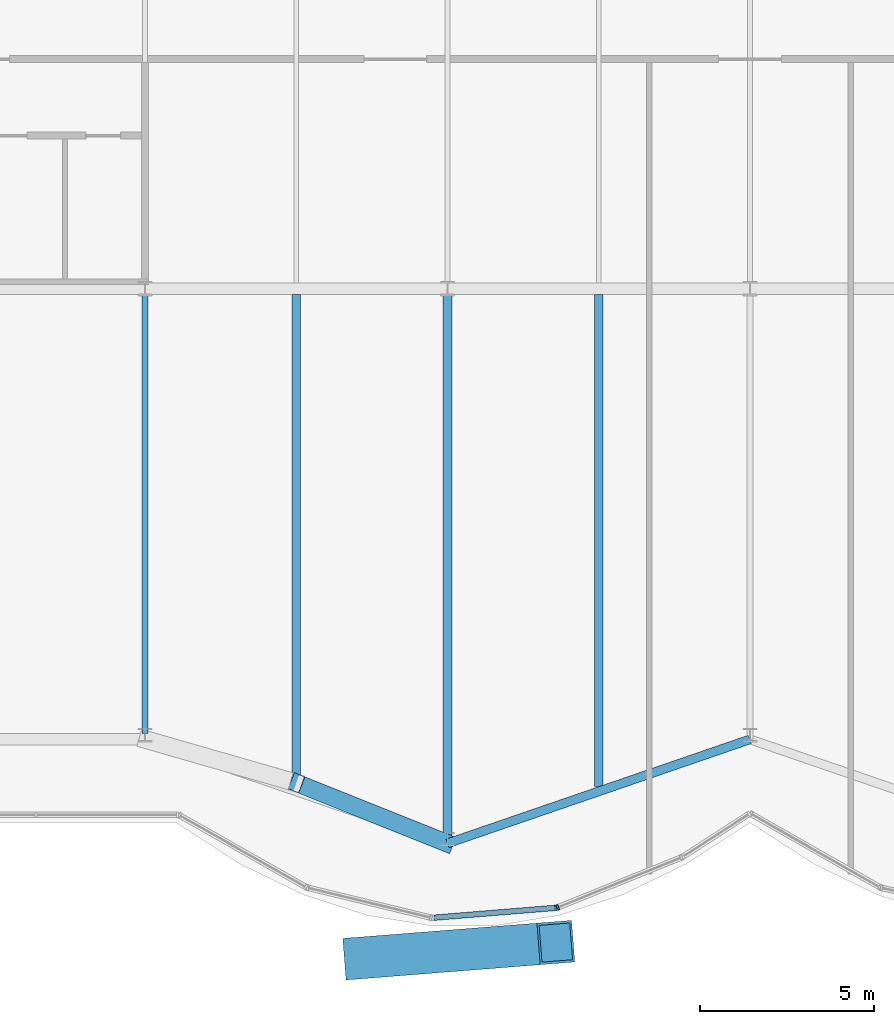
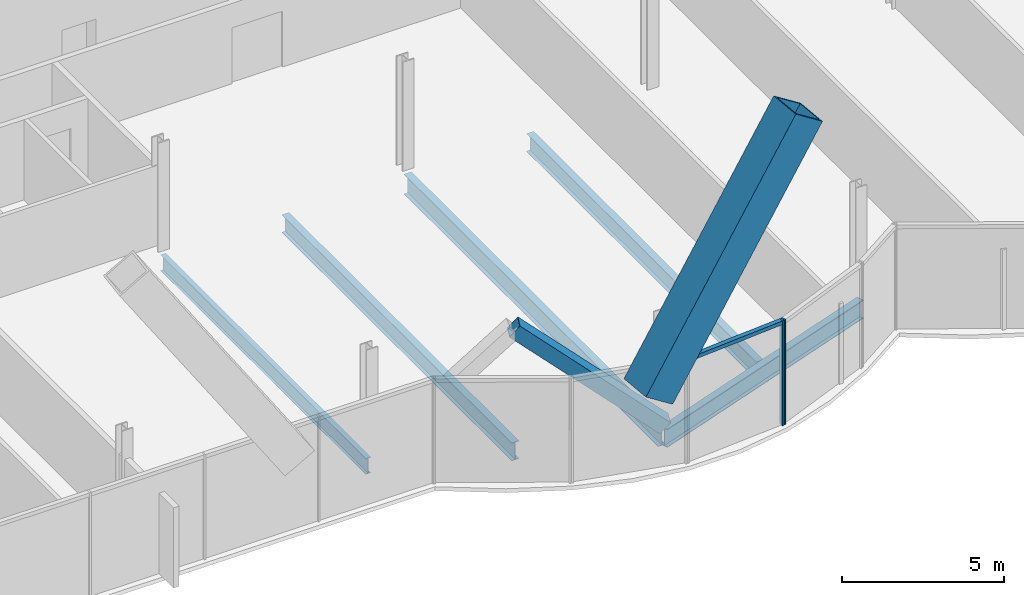
# One storey, part 5 of 21: 5 beams, 5 members, 1 element without a shape of its own.
"""IFC4 building model written with IfcOpenShell, lengths in metres."""

import ifcopenshell
import ifcopenshell.guid

model = None  # the IFC model being written
_history = None  # IfcOwnerHistory: only IFC2X3 demands one
_inside = {}  # id of a spatial element -> (the spatial element, [elements in it])
_under = {}  # id of a project, library or spatial element -> (it, [spatial elements below it])
_declared = {}  # id of a project -> (the project, [libraries it declares])
_typed = {}  # id of a type object -> (the type object, [elements of that type])
_made_of = {}  # id of a material, layer set ... -> (it, [elements and type objects made of it])


def new_model(schema):
    """Start an empty IFC model of exactly this schema.

    Asked for "IFC4X3", IfcOpenShell would pick the latest addendum, in which some entities
    have other attributes; the version numbers below select the first issue.
    IFC2X3 requires an IfcOwnerHistory on every rooted entity: one is made here for all.
    """
    global model, _history
    if schema == "IFC4X3":
        model = ifcopenshell.file(schema_version=(4, 3, 0, 0))
    else:
        model = ifcopenshell.file(schema=schema)
    _inside.clear()
    _under.clear()
    _declared.clear()
    _typed.clear()
    _made_of.clear()
    _history = None
    if model.schema == "IFC2X3":
        org = make("IfcOrganization", Name="unknown")
        user = make(
            "IfcPersonAndOrganization",
            ThePerson=make("IfcPerson", FamilyName="unknown"),
            TheOrganization=org,
        )
        app = make(
            "IfcApplication",
            ApplicationDeveloper=org,
            Version="unknown",
            ApplicationFullName="unknown",
            ApplicationIdentifier="unknown",
        )
        _history = make(
            "IfcOwnerHistory",
            OwningUser=user,
            OwningApplication=app,
            ChangeAction="ADDED",
            CreationDate=0,
        )
    return model


def make(cls, **values):
    """One entity of the class cls with the attributes given. An attribute that is None is left unset."""
    return model.create_entity(
        cls, **{name: value for name, value in values.items() if value is not None}
    )


def rooted(cls, **values):
    """An entity with a GlobalId (a new one), such as an element, a storey or a relation."""
    return make(cls, GlobalId=ifcopenshell.guid.new(), OwnerHistory=_history, **values)


def si_unit(unit_type, name, prefix=None):
    """IfcSIUnit, for example si_unit("LENGTHUNIT", "METRE", prefix="MILLI")."""
    return make("IfcSIUnit", UnitType=unit_type, Prefix=prefix, Name=name)


def assignment(units):
    """IfcUnitAssignment: the units of a project."""
    return None if units is None else make("IfcUnitAssignment", Units=units)


def point(xyz):
    """IfcCartesianPoint."""
    return None if xyz is None else make("IfcCartesianPoint", Coordinates=xyz)


def direction(xyz):
    """IfcDirection."""
    return None if xyz is None else make("IfcDirection", DirectionRatios=xyz)


def frame(location, z_axis=None, x_axis=None):
    """IfcAxis2Placement3D, a coordinate frame: its origin and axes. An axis left out is left unset."""
    return make(
        "IfcAxis2Placement3D",
        Location=point(location),
        Axis=direction(z_axis),
        RefDirection=direction(x_axis),
    )


def frame_2d(location, x_axis=None):
    """IfcAxis2Placement2D, a coordinate frame in the plane: its origin and x axis."""
    return make(
        "IfcAxis2Placement2D", Location=point(location), RefDirection=direction(x_axis)
    )


def origin():
    """The frame at (0, 0, 0) with its axes left unset."""
    return frame((0.0, 0.0, 0.0))


def origin_2d():
    """The frame at (0, 0) in the plane with its x axis left unset."""
    return frame_2d((0.0, 0.0))


def place(relative_to, where):
    """IfcLocalPlacement: puts the frame where relative to a parent placement (None: the world)."""
    return make(
        "IfcLocalPlacement", PlacementRelTo=relative_to, RelativePlacement=where
    )


def context(
    kind, dimensions, precision=None, world=None, true_north=None, identifier=None
):
    """IfcGeometricRepresentationContext, for example the 3D "Model" context."""
    return make(
        "IfcGeometricRepresentationContext",
        ContextIdentifier=identifier,
        ContextType=kind,
        CoordinateSpaceDimension=dimensions,
        Precision=precision,
        WorldCoordinateSystem=world,
        TrueNorth=true_north,
    )


def subcontext(parent, identifier, kind, view, scale=None):
    """IfcGeometricRepresentationSubContext, for example "Body" below "Model"."""
    return make(
        "IfcGeometricRepresentationSubContext",
        ContextIdentifier=identifier,
        ContextType=kind,
        ParentContext=parent,
        TargetScale=scale,
        TargetView=view,
    )


def project(units=None, contexts=None):
    """IfcProject with its units and contexts."""
    return rooted(
        "IfcProject",
        Name="project",
        RepresentationContexts=contexts,
        UnitsInContext=assignment(units),
    )


def spatial(cls, under=None, at=None, **own):
    """A site, building, storey or space (cls), placed at a placement, below another one or the project."""
    s = rooted(cls, ObjectPlacement=at, **own)
    if under is not None:
        _under.setdefault(under.id(), (under, []))[1].append(s)
    return s


def profile(cls, at=None, kind="AREA", **sizes):
    """A parametric profile (cls). Its sizes go by their IFC names, for example OverallWidth=200.0."""
    return make(cls, ProfileType=kind, Position=at, **sizes)


def rectangle(**sizes):
    """IfcRectangleProfileDef."""
    return profile("IfcRectangleProfileDef", **sizes)


def hollow_rectangle(**sizes):
    """IfcRectangleHollowProfileDef."""
    return profile("IfcRectangleHollowProfileDef", **sizes)


def i_section(**sizes):
    """IfcIShapeProfileDef."""
    return profile("IfcIShapeProfileDef", **sizes)


def extrude(swept, where, along, depth):
    """IfcExtrudedAreaSolid: the profile swept, set in the frame where, extruded along a direction by depth."""
    return make(
        "IfcExtrudedAreaSolid",
        SweptArea=swept,
        Position=where,
        ExtrudedDirection=direction(along),
        Depth=depth,
    )


def shape(context_of_items, identifier, shape_type, items):
    """IfcShapeRepresentation: the items that make up one representation, for example the "Body"."""
    return make(
        "IfcShapeRepresentation",
        ContextOfItems=context_of_items,
        RepresentationIdentifier=identifier,
        RepresentationType=shape_type,
        Items=items,
    )


def material(Name=None, Category=None):
    """IfcMaterial."""
    return make("IfcMaterial", Name=Name, Category=Category)


def material_profile(
    of_material, cross_section, Name=None, Category=None, Priority=None
):
    """IfcMaterialProfile: a cross section and its material."""
    return make(
        "IfcMaterialProfile",
        Name=Name,
        Material=of_material,
        Profile=cross_section,
        Priority=Priority,
        Category=Category,
    )


def profile_set(profiles, Name=None, composite=None):
    """IfcMaterialProfileSet."""
    return make(
        "IfcMaterialProfileSet",
        Name=Name,
        MaterialProfiles=profiles,
        CompositeProfile=composite,
    )


def made_of(thing, what):
    """Note that an element or type object is made of a material, layer set ...; save() writes the relation."""
    if what is not None:
        _made_of.setdefault(what.id(), (what, []))[1].append(thing)
    return thing


def type_object(cls, material=None, **own):
    """A type object (cls), such as IfcWallType, which elements share."""
    return made_of(rooted(cls, **own), material)


def element(
    cls,
    number,
    at=None,
    inside=None,
    cuts=None,
    type_object=None,
    material=None,
    context=None,
    identifier="Body",
    shape_type=None,
    held_by="IfcProductDefinitionShape",
    body=None,
    shapes=None,
    **own,
):
    """One element of the class cls, such as IfcWall. Its Tag is "e" and its number.

    at: its placement. inside: the storey or other place that contains it. cuts: it is an
    opening in that element (IfcRelVoidsElement). A single representation is given by context,
    identifier, shape_type and body (its items); several are given by shapes. held_by: the class
    of the entity that holds the representations. save() writes the other relations.
    """
    e = rooted(cls, Tag="e%d" % number, ObjectPlacement=at, **own)
    if body is not None:
        shapes = [shape(context, identifier, shape_type, body)]
    if shapes is not None:
        e.Representation = make(held_by, Representations=shapes)
    if inside is not None:
        _inside.setdefault(inside.id(), (inside, []))[1].append(e)
    if cuts is not None:
        rooted(
            "IfcRelVoidsElement", RelatingBuildingElement=cuts, RelatedOpeningElement=e
        )
    if type_object is not None:
        _typed.setdefault(type_object.id(), (type_object, []))[1].append(e)
    return made_of(e, material)


def aggregate(whole, parts):
    """IfcRelAggregates: a whole, such as a stair, and the parts it consists of."""
    return rooted("IfcRelAggregates", RelatingObject=whole, RelatedObjects=parts)


def save(model, path):
    """Write the relations noted so far, then the file.

    IfcRelAggregates (storeys below a building ...), IfcRelContainedInSpatialStructure (elements
    in a storey), IfcRelDefinesByType, IfcRelAssociatesMaterial and IfcRelDeclares: one each for
    every whole, place, type object, material and project.
    """
    for whole, parts in _under.values():
        aggregate(whole, parts)
    for where, things in _inside.values():
        rooted(
            "IfcRelContainedInSpatialStructure",
            RelatedElements=things,
            RelatingStructure=where,
        )
    for kind, things in _typed.values():
        rooted("IfcRelDefinesByType", RelatedObjects=things, RelatingType=kind)
    for what, things in _made_of.values():
        rooted("IfcRelAssociatesMaterial", RelatedObjects=things, RelatingMaterial=what)
    for by, libraries in _declared.values():
        rooted("IfcRelDeclares", RelatingContext=by, RelatedDefinitions=libraries)
    model.write(path)


model = new_model("IFC4")

# Units and contexts
model_context = context("Model", 3, precision=1e-05, world=origin(), true_north=direction((0.0, 1.0)))
body_context = subcontext(model_context, "Body", "Model", "MODEL_VIEW")
ifc_project = project(units=[si_unit("LENGTHUNIT", "METRE"), si_unit("AREAUNIT", "SQUARE_METRE"), si_unit("VOLUMEUNIT", "CUBIC_METRE"), si_unit("PLANEANGLEUNIT", "RADIAN"), si_unit("MASSUNIT", "GRAM", prefix="KILO")], contexts=[model_context])

# Site, building, storey
site_placement = place(None, origin())
site = spatial("IfcSite", under=ifc_project, at=site_placement, CompositionType="ELEMENT")
building_placement = place(site_placement, origin())
building = spatial("IfcBuilding", under=site, at=building_placement, Name="Bicima Exchange Tower", CompositionType="ELEMENT")
storey_placement = place(building_placement, frame((0.0, 0.0, 118.60009765625)))
storey = spatial("IfcBuildingStorey", under=building, at=storey_placement, Name="L25", CompositionType="ELEMENT", Elevation=118.60009765625)

# Member
ifc_material_1 = material(Name="Steel ASTM A572 Gr 50", Category="steel")
ifc_material_profile_1 = material_profile(ifc_material_1, hollow_rectangle(XDim=1.199951171875, YDim=1.199951171875, WallThickness=0.070068359375, at=origin_2d()))
ifc_profile_set_1 = profile_set([ifc_material_profile_1], Name="Steel ASTM A572 Gr 50")
member_type_1 = type_object("IfcMemberType", Name="Exo mega brace BOX 1200x1200x70", PredefinedType="BRACE", material=ifc_profile_set_1)
member_1_placement = place(storey_placement, frame((-11.166748046875, -41.2470703125, 4.066650390625), z_axis=(0.55229083796, 0.043468452485, 0.832517461645), x_axis=(-0.078463079856, 0.996917020167, 0.0)))
element("IfcMember", 1, at=member_1_placement, inside=storey, type_object=member_type_1, Name="Exo mega brace front", PredefinedType="BRACE", context=body_context, shape_type="SweptSolid", body=[
    extrude(hollow_rectangle(XDim=1.199951171875, YDim=1.199951171875, WallThickness=0.070068359375, at=origin_2d()), origin(), (0.0, 0.0, 1.0), 10.109619140625),
])

# Beams
ifc_material_2 = material(Name="Steel ASTM A992 Gr 50", Category="steel")
ifc_material_profile_2 = material_profile(ifc_material_2, i_section(OverallWidth=0.177978515625, OverallDepth=0.599365234375, WebThickness=0.010009765625, FlangeThickness=0.012939453125, at=origin_2d()))
ifc_profile_set_2 = profile_set([ifc_material_profile_2], Name="Steel ASTM A992 Gr 50")
beam_type_1 = type_object("IfcBeamType", Name="Floor beam W24x55", PredefinedType="JOIST", material=ifc_profile_set_2)
beam_1_placement = place(storey_placement, frame((-17.39990234375, -22.16259765625, -0.44970703125), z_axis=(0.0, -1.0, 0.0), x_axis=(1.0, 0.0, 0.0)))
element("IfcBeam", 2, at=beam_1_placement, inside=storey, type_object=beam_type_1, Name="Floor beam", PredefinedType="JOIST", context=body_context, shape_type="SweptSolid", body=[
    extrude(i_section(OverallWidth=0.177978515625, OverallDepth=0.599365234375, WebThickness=0.010009765625, FlangeThickness=0.012939453125, at=origin_2d()), origin(), (0.0, 0.0, 1.0), 12.638916015625),
])
ifc_material_profile_3 = material_profile(ifc_material_2, i_section(OverallWidth=0.25390625, OverallDepth=0.67822265625, WebThickness=0.01171875, FlangeThickness=0.016357421875, at=origin_2d()))
ifc_profile_set_3 = profile_set([ifc_material_profile_3], Name="Steel ASTM A992 Gr 50")
beam_type_2 = type_object("IfcBeamType", Name="Floor beam W27x84", PredefinedType="JOIST", material=ifc_profile_set_3)
for number, where, z_axis, x_axis, name in (
    (3, (-13.050048828125, -22.16259765625, -0.4892578125), (0.0, -1.0, 0.0), (1.0, 0.0, 0.0), "Floor beam"),
    (4, (-4.35009765625, -22.16259765625, -0.4892578125), (0.0, -1.0, 0.0), (1.0, 0.0, 0.0), "Floor beam"),
):
    element("IfcBeam", number, at=place(storey_placement, frame(where, z_axis=z_axis, x_axis=x_axis)), inside=storey, type_object=beam_type_2, Name=name, PredefinedType="JOIST", context=body_context, shape_type="SweptSolid", body=[
        extrude(i_section(OverallWidth=0.25390625, OverallDepth=0.67822265625, WebThickness=0.01171875, FlangeThickness=0.016357421875, at=origin_2d()), origin(), (0.0, 0.0, 1.0), 14.161376953125),
    ])
ifc_material_profile_4 = material_profile(ifc_material_2, i_section(OverallWidth=0.2666015625, OverallDepth=0.75439453125, WebThickness=0.01318359375, FlangeThickness=0.01708984375, at=origin_2d()))
ifc_profile_set_4 = profile_set([ifc_material_profile_4], Name="Steel ASTM A992 Gr 50")
beam_type_3 = type_object("IfcBeamType", Name="Floor beam W30x99", PredefinedType="JOIST", material=ifc_profile_set_4)
beam_2_placement = place(storey_placement, frame((-8.699951171875, -22.16259765625, -0.52734375), z_axis=(0.0, -1.0, 0.0), x_axis=(1.0, 0.0, 0.0)))
element("IfcBeam", 5, at=beam_2_placement, inside=storey, type_object=beam_type_3, Name="Floor beam", PredefinedType="JOIST", context=body_context, shape_type="SweptSolid", body=[
    extrude(i_section(OverallWidth=0.2666015625, OverallDepth=0.75439453125, WebThickness=0.01318359375, FlangeThickness=0.01708984375, at=origin_2d()), origin(), (0.0, 0.0, 1.0), 15.65673828125),
])
ifc_material_profile_5 = material_profile(ifc_material_2, i_section(OverallWidth=0.256591796875, OverallDepth=0.693359375, WebThickness=0.014404296875, FlangeThickness=0.023681640625, at=origin_2d()))
ifc_profile_set_5 = profile_set([ifc_material_profile_5], Name="Steel ASTM A992 Gr 50")
beam_type_4 = type_object("IfcBeamType", Name="Front girder W27x114", PredefinedType="BEAM", material=ifc_profile_set_5)
beam_3_placement = place(storey_placement, frame((-8.699951171875, -37.955078125, -0.496826171875), z_axis=(0.945674616091, 0.32511462668, 0.0), x_axis=(-0.32511462668, 0.945674616091, 0.0)))
element("IfcBeam", 6, at=beam_3_placement, inside=storey, type_object=beam_type_4, Name="Front girder", PredefinedType="BEAM", context=body_context, shape_type="SweptSolid", body=[
    extrude(i_section(OverallWidth=0.256591796875, OverallDepth=0.693359375, WebThickness=0.014404296875, FlangeThickness=0.023681640625, at=origin_2d()), origin(), (0.0, 0.0, 1.0), 9.19970703125),
])

# Curtain wall, members
ifc_material_3 = material(Name="Anodised bronze aluminium", Category="aluminium")
curtain_wall_type = type_object("IfcCurtainWallType", Name="Front glass wall", PredefinedType="NOTDEFINED", material=ifc_material_3)
curtain_wall_placement = place(storey_placement, origin())
curtain_wall = element("IfcCurtainWall", 7, at=curtain_wall_placement, inside=storey, type_object=curtain_wall_type, Name="Front glass wall L25 run 6", PredefinedType="NOTDEFINED")
ifc_material_profile_6 = material_profile(ifc_material_3, rectangle(XDim=0.159912109375, YDim=0.06005859375, at=origin_2d()))
ifc_profile_set_6 = profile_set([ifc_material_profile_6], Name="Anodised bronze aluminium")
member_type_2 = type_object("IfcMemberType", Name="Front glass wall mullion 60 x 160", PredefinedType="MULLION", material=ifc_profile_set_6)
member_2_placement = place(storey_placement, frame((-5.583984375, -39.808837890625, 0.0), z_axis=(0.0, 0.0, 1.0), x_axis=(-0.080588612633, 0.99674744821, 0.0)))
member_2 = element("IfcMember", 8, at=member_2_placement, type_object=member_type_2, Name="Front glass wall mullion 2", PredefinedType="MULLION", context=body_context, shape_type="SweptSolid", body=[
    extrude(rectangle(XDim=0.159912109375, YDim=0.06005859375, at=origin_2d()), origin(), (0.0, 0.0, 1.0), 3.949951171875),
])
member_3_placement = place(storey_placement, frame((-5.526123046875, -39.795166015625, 0.0), z_axis=(0.0, 0.0, 1.0), x_axis=(-0.374705304, 0.92714396679, 0.0)))
member_3 = element("IfcMember", 9, at=member_3_placement, type_object=member_type_2, Name="Front glass wall mullion 1", PredefinedType="MULLION", context=body_context, shape_type="SweptSolid", body=[
    extrude(rectangle(XDim=0.159912109375, YDim=0.06005859375, at=origin_2d()), origin(), (0.0, 0.0, 1.0), 3.949951171875),
])
ifc_material_profile_7 = material_profile(ifc_material_3, rectangle(XDim=0.159912109375, YDim=0.139892578125, at=origin_2d()))
ifc_profile_set_7 = profile_set([ifc_material_profile_7], Name="Anodised bronze aluminium")
member_type_3 = type_object("IfcMemberType", Name="Front glass wall transom 140 x 160", PredefinedType="USERDEFINED", material=ifc_profile_set_7)
member_4_placement = place(storey_placement, frame((-9.08837890625, -40.09228515625, 3.8798828125), z_axis=(0.9967456465, 0.080610893699, 0.0), x_axis=(-0.080610893699, 0.9967456465, 0.0)))
member_4 = element("IfcMember", 10, at=member_4_placement, type_object=member_type_3, Name="Front glass wall transom 1.1", ObjectType="TRANSOM", PredefinedType="USERDEFINED", context=body_context, shape_type="SweptSolid", body=[
    extrude(rectangle(XDim=0.159912109375, YDim=0.139892578125, at=origin_2d()), origin(), (0.0, 0.0, 1.0), 3.48583984375),
])
aggregate(curtain_wall, [member_2, member_4, member_3])

# Member
ifc_material_profile_8 = material_profile(ifc_material_1, hollow_rectangle(XDim=0.508056640625, YDim=0.508056640625, WallThickness=0.0146484375, at=origin_2d()))
ifc_profile_set_8 = profile_set([ifc_material_profile_8], Name="Steel ASTM A572 Gr 50")
member_type_4 = type_object("IfcMemberType", Name="Mega brace HSS20x20x5/8", PredefinedType="BRACE", material=ifc_profile_set_8)
member_5_placement = place(storey_placement, frame((-8.699951171875, -37.955078125, 0.0), z_axis=(-0.698744239452, 0.279411421377, 0.658548210412), x_axis=(-0.371291842786, -0.928516218211, 0.0)))
element("IfcMember", 11, at=member_5_placement, inside=storey, type_object=member_type_4, Name="Mega brace front", PredefinedType="BRACE", context=body_context, shape_type="SweptSolid", body=[
    extrude(hollow_rectangle(XDim=0.508056640625, YDim=0.508056640625, WallThickness=0.0146484375, at=origin_2d()), origin(), (0.0, 0.0, 1.0), 6.2255859375),
])

save(model, "model.ifc")
